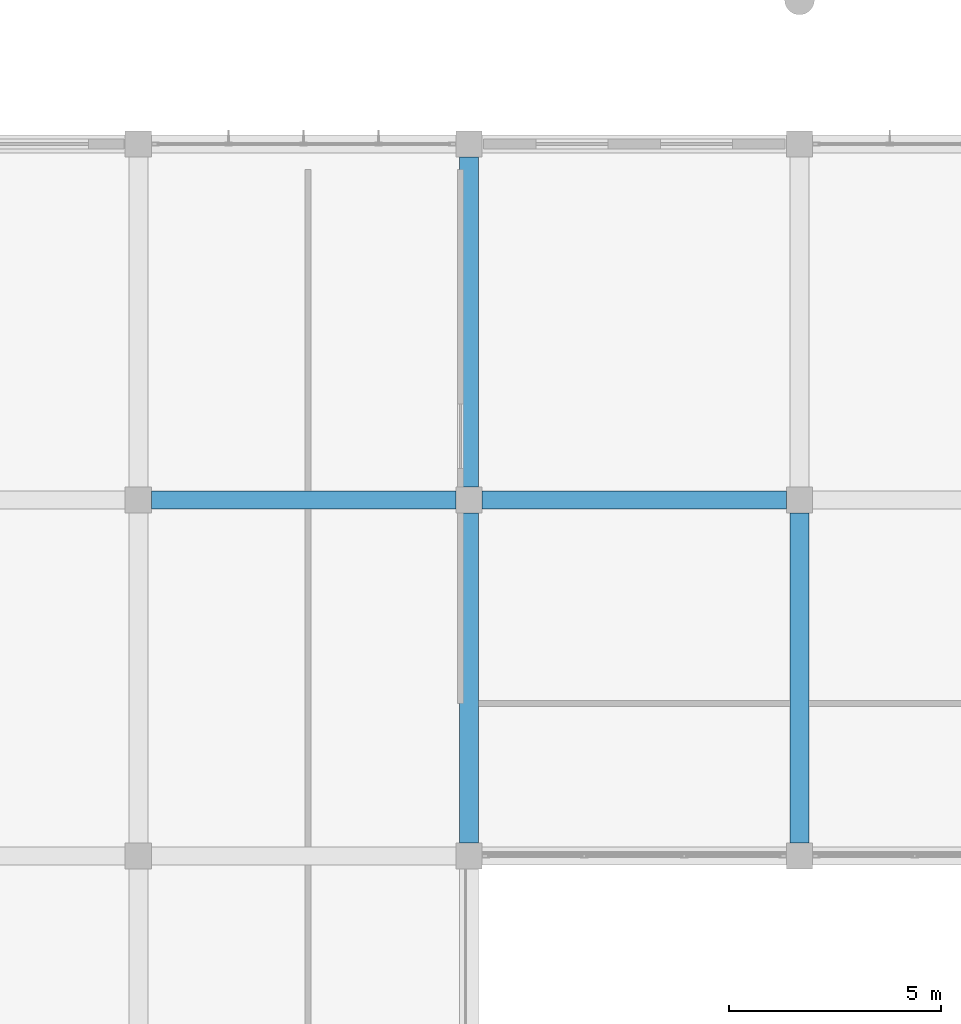
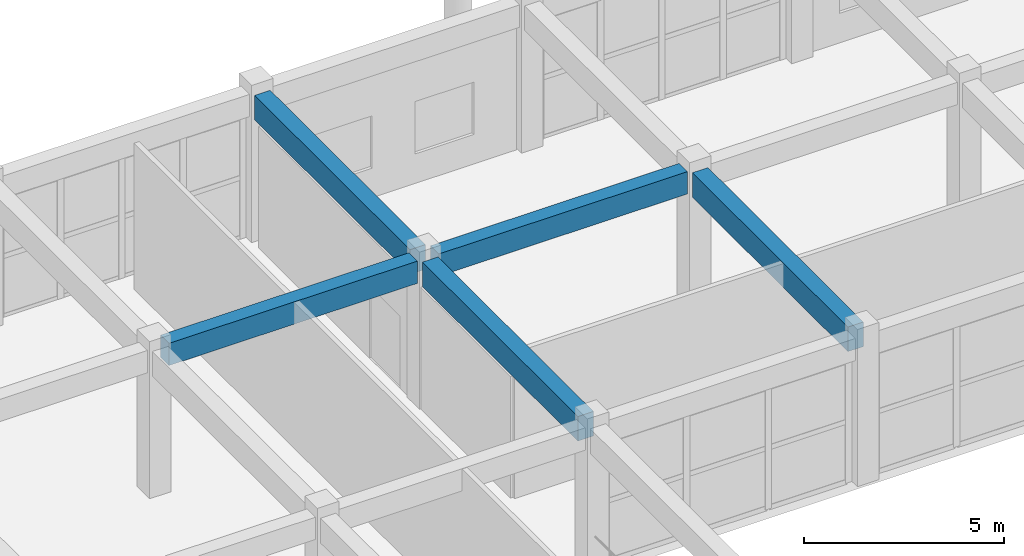
# One storey, part 103 of 167: 5 beams.
"""IFC4 building model written with IfcOpenShell, lengths in metres."""

from ifc_helpers import new_model, si_unit, direction, frame, origin, origin_2d, place, context, subcontext, project, spatial, rectangle, extrude, material, material_profile, profile_set, type_object, element, save


model = new_model("IFC4")

# Units and contexts
model_context = context("Model", 3, precision=1e-05, world=origin(), true_north=direction((0.0, 1.0)))
body_context = subcontext(model_context, "Body", "Model", "MODEL_VIEW")
ifc_project = project(units=[si_unit("LENGTHUNIT", "METRE"), si_unit("AREAUNIT", "SQUARE_METRE"), si_unit("VOLUMEUNIT", "CUBIC_METRE"), si_unit("PLANEANGLEUNIT", "RADIAN"), si_unit("MASSUNIT", "GRAM", prefix="KILO")], contexts=[model_context])

# Site, building, storey
site_placement = place(None, origin())
site = spatial("IfcSite", under=ifc_project, at=site_placement, CompositionType="ELEMENT")
building_placement = place(site_placement, origin())
building = spatial("IfcBuilding", under=site, at=building_placement, Name="Zizhar Promenade General Hospital", CompositionType="ELEMENT")
storey_placement = place(building_placement, frame((0.0, 0.0, 9.60009765625)))
storey = spatial("IfcBuildingStorey", under=building, at=storey_placement, Name="L02", CompositionType="ELEMENT", Elevation=9.60009765625)

# Beams
ifc_material_1 = material(Name="Concrete C35/45", Category="concrete")
ifc_material_profile_1 = material_profile(ifc_material_1, rectangle(XDim=0.419921875, YDim=0.679931640625, at=origin_2d()))
ifc_profile_set_1 = profile_set([ifc_material_profile_1], Name="Concrete C35/45")
beam_type_1 = type_object("IfcBeamType", Name="BM-RC-420x680", PredefinedType="JOIST", material=ifc_profile_set_1)
for number, where, z_axis, x_axis, name in (
    (1, (140.7099609375, 100.800048828125, 4.1298828125), (1.0, 0.0, 0.0), (0.0, 1.0, 0.0), "Grid Beam X L02 (18-12)"),
    (2, (148.510009765625, 100.800048828125, 4.1298828125), (1.0, 0.0, 0.0), (0.0, 1.0, 0.0), "Grid Beam X L02 (19-12)"),
):
    element("IfcBeam", number, at=place(storey_placement, frame(where, z_axis=z_axis, x_axis=x_axis)), inside=storey, type_object=beam_type_1, Name=name, PredefinedType="JOIST", context=body_context, shape_type="SweptSolid", body=[
        extrude(rectangle(XDim=0.419921875, YDim=0.679931640625, at=origin_2d()), origin(), (0.0, 0.0, 1.0), 7.179931640625),
    ])
ifc_material_2 = material(Name="Concrete C35/45", Category="concrete")
ifc_material_profile_2 = material_profile(ifc_material_2, rectangle(XDim=0.449951171875, YDim=0.75, at=origin_2d()))
ifc_profile_set_2 = profile_set([ifc_material_profile_2], Name="Concrete C35/45")
beam_type_2 = type_object("IfcBeamType", Name="BM-RC-450x750", PredefinedType="BEAM", material=ifc_profile_set_2)
beam_1_placement = place(storey_placement, frame((148.199951171875, 92.7099609375, 4.094970703125), z_axis=(0.0, 1.0, 0.0), x_axis=(-1.0, 0.0, 0.0)))
element("IfcBeam", 3, at=beam_1_placement, inside=storey, type_object=beam_type_2, Name="Grid Beam Y L02 (19-11)", PredefinedType="BEAM", context=body_context, shape_type="SweptSolid", body=[
    extrude(rectangle(XDim=0.449951171875, YDim=0.75, at=origin_2d()), origin(), (0.0, 0.0, 1.0), 7.780029296875),
])
beam_2_placement = place(storey_placement, frame((148.199951171875, 101.110107421875, 4.094970703125), z_axis=(0.0, 1.0, 0.0), x_axis=(-1.0, 0.0, 0.0)))
element("IfcBeam", 4, at=beam_2_placement, inside=storey, type_object=beam_type_2, Name="Grid Beam Y L02 (19-12)", PredefinedType="BEAM", context=body_context, shape_type="SweptSolid", body=[
    extrude(rectangle(XDim=0.449951171875, YDim=0.75, at=origin_2d()), origin(), (0.0, 0.0, 1.0), 7.77978515625),
])
beam_3_placement = place(storey_placement, frame((156.0, 92.7099609375, 4.094970703125), z_axis=(0.0, 1.0, 0.0), x_axis=(-1.0, 0.0, 0.0)))
element("IfcBeam", 5, at=beam_3_placement, inside=storey, type_object=beam_type_2, Name="Grid Beam Y L02 (20-11)", PredefinedType="BEAM", context=body_context, shape_type="SweptSolid", body=[
    extrude(rectangle(XDim=0.449951171875, YDim=0.75, at=origin_2d()), origin(), (0.0, 0.0, 1.0), 7.780029296875),
])

save(model, "model.ifc")
